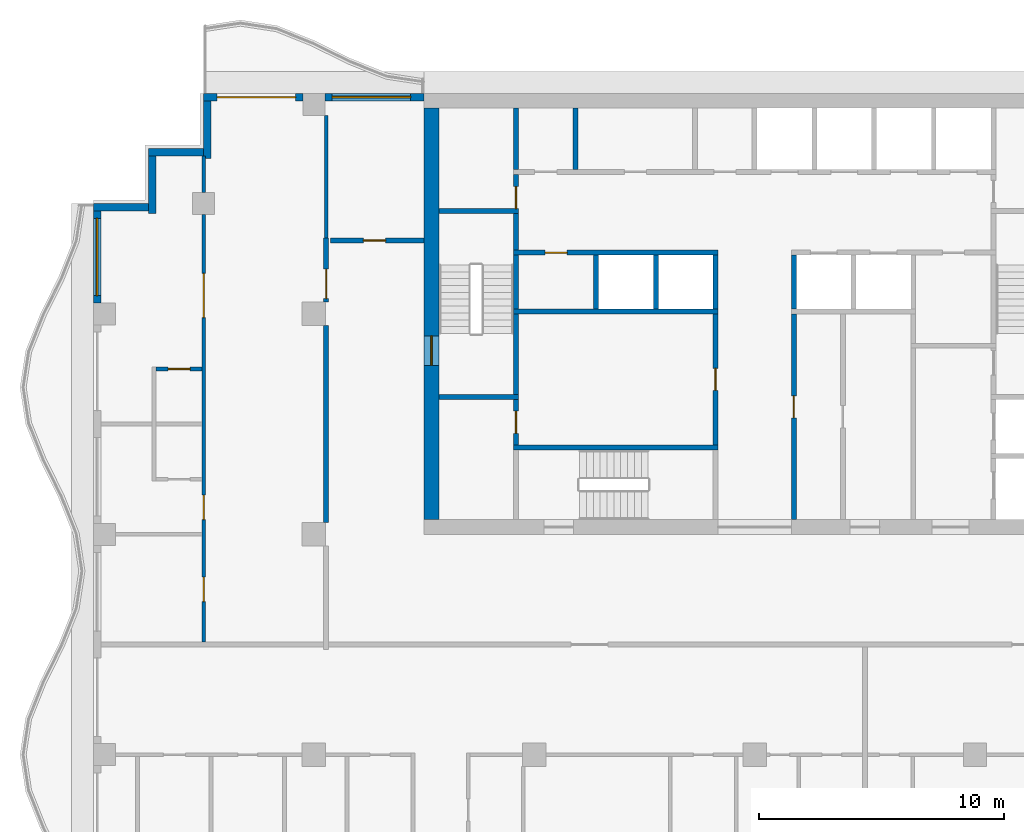
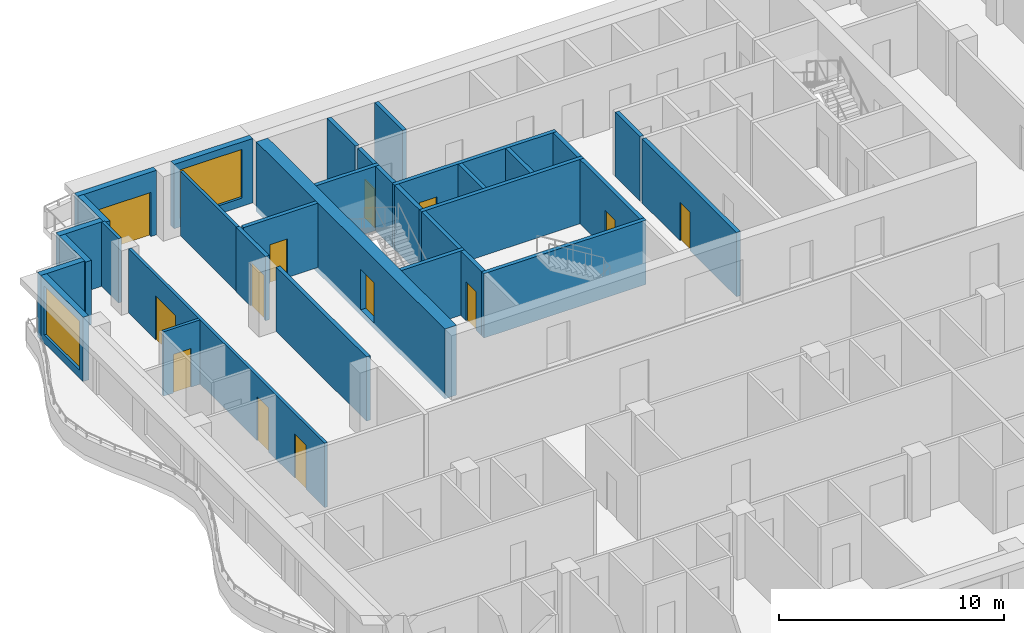
# One storey, part 5 of 12: 33 walls, 13 doors, 2 windows, 15 openings.
"""IFC4 building model written with IfcOpenShell, lengths in metres."""

from ifc_helpers import new_model, si_unit, direction, frame, frame_2d, origin, place, context, subcontext, project, spatial, rectangle, extrude, material, layer, layer_set, type_object, element, fill, save


model = new_model("IFC4")

# Units and contexts
model_context = context("Model", 3, precision=1e-05, world=origin(), true_north=direction((0.0, 1.0)))
body_context = subcontext(model_context, "Body", "Model", "MODEL_VIEW")
ifc_project = project(units=[si_unit("LENGTHUNIT", "METRE"), si_unit("AREAUNIT", "SQUARE_METRE"), si_unit("VOLUMEUNIT", "CUBIC_METRE"), si_unit("PLANEANGLEUNIT", "RADIAN"), si_unit("MASSUNIT", "GRAM", prefix="KILO")], contexts=[model_context])

# Site, building, storey
site_placement = place(None, origin())
site = spatial("IfcSite", under=ifc_project, at=site_placement, CompositionType="ELEMENT")
building_placement = place(site_placement, origin())
building = spatial("IfcBuilding", under=site, at=building_placement, Name="Orbiselva Terraces", CompositionType="ELEMENT")
storey_placement = place(building_placement, frame((0.0, 0.0, 265.4)))
storey = spatial("IfcBuildingStorey", under=building, at=storey_placement, Name="L67", CompositionType="ELEMENT", Elevation=265.4)

# Wall, opening, door
ifc_material_1 = material(Name="Concrete C80/95", Category="concrete")
ifc_layer_1 = layer(ifc_material_1, 0.6)
ifc_layer_set_1 = layer_set([ifc_layer_1], Name="Concrete C80/95")
wall_type_1 = type_object("IfcWallType", Name="CORE WALL 600", PredefinedType="SHEAR", material=ifc_layer_set_1)
wall_1_placement = place(storey_placement, frame((-13.2, 21.9, -0.3), z_axis=(0.0, 0.0, 1.0), x_axis=(0.0, -1.0, 0.0)))
wall_1 = element("IfcWall", 1, at=wall_1_placement, inside=storey, type_object=wall_type_1, Name="Core wall L67 west", PredefinedType="SHEAR", context=body_context, shape_type="SweptSolid", body=[
    extrude(rectangle(XDim=16.8, YDim=0.6, at=frame_2d((8.4, 0.0))), origin(), (0.0, 0.0, 1.0), 3.8),
])
opening_1_placement = place(wall_1_placement, frame((9.3, 0.0, 0.3)))
opening_1 = element("IfcOpeningElement", 2, at=opening_1_placement, cuts=wall_1, Name="Opening DS1200", PredefinedType="OPENING", context=body_context, shape_type="SweptSolid", body=[
    extrude(rectangle(XDim=1.2, YDim=2.2, at=frame_2d((0.6, 1.1))), frame((0.0, 0.31, 0.0), z_axis=(0.0, -1.0, 0.0), x_axis=(1.0, 0.0, 0.0)), (0.0, 0.0, 1.0), 0.62),
])
ifc_material_2 = material(Name="Steel fire door", Category="steel")
door_type_1 = type_object("IfcDoorType", Name="STAIR DOOR 1200", OperationType="NOTDEFINED", PredefinedType="DOOR", material=ifc_material_2)
door_1_placement = place(opening_1_placement, frame((1.2, 0.0, 0.0), z_axis=(0.0, 0.0, 1.0), x_axis=(-1.0, 0.0, 0.0)))
door_1 = element("IfcDoor", 3, at=door_1_placement, inside=storey, type_object=door_type_1, Name="L67 EXIT STAIR S1 door", OperationType="SINGLE_SWING_RIGHT", OverallHeight=2.2, OverallWidth=1.2, PredefinedType="DOOR", context=body_context, shape_type="SweptSolid", body=[
    extrude(rectangle(XDim=1.2, YDim=2.2, at=frame_2d((0.6, 1.1))), frame((0.0, 0.025, 0.0), z_axis=(0.0, -1.0, 0.0), x_axis=(1.0, 0.0, 0.0)), (0.0, 0.0, 1.0), 0.05),
])
fill(opening_1, door_1)

ifc_material_3 = material(Name="Masonry blockwork", Category="masonry")
ifc_layer_2 = layer(ifc_material_3, 0.2)
ifc_layer_set_2 = layer_set([ifc_layer_2], Name="Masonry blockwork")
wall_type_2 = type_object("IfcWallType", Name="CORE-WALL-PARTITION-200", PredefinedType="PARTITIONING", material=ifc_layer_set_2)
wall_2_placement = place(storey_placement, frame((-9.75, 8.15, 0.0), z_axis=(0.0, 0.0, 1.0), x_axis=(0.0, 1.0, 0.0)))
wall_2 = element("IfcWall", 4, at=wall_2_placement, inside=storey, type_object=wall_type_2, Name="L67 core wall 05", PredefinedType="PARTITIONING", context=body_context, shape_type="SweptSolid", body=[
    extrude(rectangle(XDim=1.85, YDim=0.2, at=frame_2d((0.925, 0.0))), origin(), (0.0, 0.0, 1.0), 3.5),
])
opening_2_placement = place(wall_2_placement, frame((0.475, 0.0, 0.0)))
opening_2 = element("IfcOpeningElement", 5, at=opening_2_placement, cuts=wall_2, Name="Opening DR900", PredefinedType="OPENING", context=body_context, shape_type="SweptSolid", body=[
    extrude(rectangle(XDim=0.9, YDim=2.1, at=frame_2d((0.45, 1.05))), frame((0.0, 0.11, 0.0), z_axis=(0.0, -1.0, 0.0), x_axis=(1.0, 0.0, 0.0)), (0.0, 0.0, 1.0), 0.22),
])
door_type_2 = type_object("IfcDoorType", Name="ROOM DOOR 900", OperationType="NOTDEFINED", PredefinedType="DOOR", material=ifc_material_2)
door_2_placement = place(opening_2_placement, origin())
door_2 = element("IfcDoor", 6, at=door_2_placement, inside=storey, type_object=door_type_2, Name="L67 ACCESSIBLE WC door", OperationType="SINGLE_SWING_RIGHT", OverallHeight=2.1, OverallWidth=0.9, PredefinedType="DOOR", context=body_context, shape_type="SweptSolid", body=[
    extrude(rectangle(XDim=0.9, YDim=2.1, at=frame_2d((0.45, 1.05))), frame((0.0, 0.025, 0.0), z_axis=(0.0, -1.0, 0.0), x_axis=(1.0, 0.0, 0.0)), (0.0, 0.0, 1.0), 0.05),
])
fill(opening_2, door_2)

wall_3_placement = place(storey_placement, frame((-9.75, 17.8, 0.0), z_axis=(0.0, 0.0, 1.0), x_axis=(0.0, 1.0, 0.0)))
wall_3 = element("IfcWall", 7, at=wall_3_placement, inside=storey, type_object=wall_type_2, Name="L67 core wall 11", PredefinedType="PARTITIONING", context=body_context, shape_type="SweptSolid", body=[
    extrude(rectangle(XDim=1.4, YDim=0.2, at=frame_2d((0.7, 0.0))), origin(), (0.0, 0.0, 1.0), 3.5),
])
opening_3_placement = place(wall_3_placement, origin())
opening_3 = element("IfcOpeningElement", 8, at=opening_3_placement, cuts=wall_3, Name="Opening DR900", PredefinedType="OPENING", context=body_context, shape_type="SweptSolid", body=[
    extrude(rectangle(XDim=0.9, YDim=2.1, at=frame_2d((0.45, 1.05))), frame((0.0, 0.11, 0.0), z_axis=(0.0, -1.0, 0.0), x_axis=(1.0, 0.0, 0.0)), (0.0, 0.0, 1.0), 0.22),
])
door_3_placement = place(opening_3_placement, origin())
door_3 = element("IfcDoor", 9, at=door_3_placement, inside=storey, type_object=door_type_2, Name="L67 COMMS RISER ROOM door", OperationType="SINGLE_SWING_LEFT", OverallHeight=2.1, OverallWidth=0.9, PredefinedType="DOOR", context=body_context, shape_type="SweptSolid", body=[
    extrude(rectangle(XDim=0.9, YDim=2.1, at=frame_2d((0.45, 1.05))), frame((0.0, 0.025, 0.0), z_axis=(0.0, -1.0, 0.0), x_axis=(1.0, 0.0, 0.0)), (0.0, 0.0, 1.0), 0.05),
])
fill(opening_3, door_3)

# Walls
for number, where, z_axis, x_axis, name in (
    (10, (-9.75, 19.4, 0.0), (0.0, 0.0, 1.0), (0.0, 1.0, 0.0), "L67 core wall 13"),
    (11, (-7.3125, 19.4, 0.0), (0.0, 0.0, 1.0), (0.0, 1.0, 0.0), "L67 core wall 14"),
):
    element("IfcWall", number, at=place(storey_placement, frame(where, z_axis=z_axis, x_axis=x_axis)), inside=storey, type_object=wall_type_2, Name=name, PredefinedType="PARTITIONING", context=body_context, shape_type="SweptSolid", body=[
        extrude(rectangle(XDim=2.5, YDim=0.2, at=frame_2d((1.25, 0.0))), origin(), (0.0, 0.0, 1.0), 3.5),
    ])
ifc_material_4 = material(Name="Concrete C40/50", Category="concrete")
ifc_layer_3 = layer(ifc_material_4, 0.2)
ifc_layer_set_3 = layer_set([ifc_layer_3], Name="Concrete C40/50")
wall_type_3 = type_object("IfcWallType", Name="CORE-WALL-SHAFT-200", PredefinedType="PARTITIONING", material=ifc_layer_set_3)
for number, where, z_axis, x_axis, name in (
    (12, (-6.475, 13.7, 0.0), (0.0, 0.0, 1.0), (0.0, 1.0, 0.0), "L67 core wall 15"),
    (13, (-4.0375, 13.7, 0.0), (0.0, 0.0, 1.0), (0.0, 1.0, 0.0), "L67 core wall 16"),
    (14, (-1.6, 13.7, 0.0), (0.0, 0.0, 1.0), (0.0, 1.0, 0.0), "L67 core wall 20"),
    (15, (1.6, 13.7, 0.0), (0.0, 0.0, 1.0), (0.0, 1.0, 0.0), "L67 core wall 24"),
):
    element("IfcWall", number, at=place(storey_placement, frame(where, z_axis=z_axis, x_axis=x_axis)), inside=storey, type_object=wall_type_3, Name=name, PredefinedType="PARTITIONING", context=body_context, shape_type="SweptSolid", body=[
        extrude(rectangle(XDim=2.2, YDim=0.2, at=frame_2d((1.1, 0.0))), origin(), (0.0, 0.0, 1.0), 3.5),
    ])
ifc_material_5 = material(Name="Concrete C60/75", Category="concrete")
ifc_layer_4 = layer(ifc_material_5, 0.2)
ifc_layer_set_4 = layer_set([ifc_layer_4], Name="Concrete C60/75")
wall_type_4 = type_object("IfcWallType", Name="CORE-WALL-SHEAR-200", PredefinedType="SHEAR", material=ifc_layer_set_4)
for number, where, z_axis, x_axis, name in (
    (16, (-12.9, 10.1, 0.0), (0.0, 0.0, 1.0), (1.0, 0.0, 0.0), "L67 core wall 01"),
    (17, (-12.9, 17.7, 0.0), (0.0, 0.0, 1.0), (1.0, 0.0, 0.0), "L67 core wall 02"),
):
    element("IfcWall", number, at=place(storey_placement, frame(where, z_axis=z_axis, x_axis=x_axis)), inside=storey, type_object=wall_type_4, Name=name, PredefinedType="SHEAR", context=body_context, shape_type="SweptSolid", body=[
        extrude(rectangle(XDim=3.25, YDim=0.2, at=frame_2d((1.625, 0.0))), origin(), (0.0, 0.0, 1.0), 3.5),
    ])
wall_4_placement = place(storey_placement, frame((-9.85, 8.05, 0.0), z_axis=(0.0, 0.0, 1.0), x_axis=(1.0, 0.0, 0.0)))
element("IfcWall", 18, at=wall_4_placement, inside=storey, type_object=wall_type_4, Name="L67 core wall 04", PredefinedType="SHEAR", context=body_context, shape_type="SweptSolid", body=[
    extrude(rectangle(XDim=8.35, YDim=0.2, at=frame_2d((4.175, 0.0))), origin(), (0.0, 0.0, 1.0), 3.5),
])
wall_5_placement = place(storey_placement, frame((-9.75, 10.2, 0.0), z_axis=(0.0, 0.0, 1.0), x_axis=(0.0, 1.0, 0.0)))
element("IfcWall", 19, at=wall_5_placement, inside=storey, type_object=wall_type_4, Name="L67 core wall 06", PredefinedType="SHEAR", context=body_context, shape_type="SweptSolid", body=[
    extrude(rectangle(XDim=3.3, YDim=0.2, at=frame_2d((1.65, 0.0))), origin(), (0.0, 0.0, 1.0), 3.5),
])
wall_6_placement = place(storey_placement, frame((-9.85, 13.6, 0.0), z_axis=(0.0, 0.0, 1.0), x_axis=(1.0, 0.0, 0.0)))
element("IfcWall", 20, at=wall_6_placement, inside=storey, type_object=wall_type_4, Name="L67 core wall 07", PredefinedType="SHEAR", context=body_context, shape_type="SweptSolid", body=[
    extrude(rectangle(XDim=8.35, YDim=0.2, at=frame_2d((4.175, 0.0))), origin(), (0.0, 0.0, 1.0), 3.5),
])
wall_7_placement = place(storey_placement, frame((-9.75, 13.7, 0.0), z_axis=(0.0, 0.0, 1.0), x_axis=(0.0, 1.0, 0.0)))
element("IfcWall", 21, at=wall_7_placement, inside=storey, type_object=wall_type_4, Name="L67 core wall 08", PredefinedType="SHEAR", context=body_context, shape_type="SweptSolid", body=[
    extrude(rectangle(XDim=2.2, YDim=0.2, at=frame_2d((1.1, 0.0))), origin(), (0.0, 0.0, 1.0), 3.5),
])

# Wall, opening, door
wall_8_placement = place(storey_placement, frame((-1.5, 16.0, 0.0), z_axis=(0.0, 0.0, 1.0), x_axis=(-1.0, 0.0, 0.0)))
wall_8 = element("IfcWall", 22, at=wall_8_placement, inside=storey, type_object=wall_type_4, Name="L67 core wall 09", PredefinedType="SHEAR", context=body_context, shape_type="SweptSolid", body=[
    extrude(rectangle(XDim=8.35, YDim=0.2, at=frame_2d((4.175, 0.0))), origin(), (0.0, 0.0, 1.0), 3.5),
])
opening_4_placement = place(wall_8_placement, frame((6.1625, 0.0, 0.0)))
opening_4 = element("IfcOpeningElement", 23, at=opening_4_placement, cuts=wall_8, Name="Opening DR900", PredefinedType="OPENING", context=body_context, shape_type="SweptSolid", body=[
    extrude(rectangle(XDim=0.9, YDim=2.1, at=frame_2d((0.45, 1.05))), frame((0.0, 0.11, 0.0), z_axis=(0.0, -1.0, 0.0), x_axis=(1.0, 0.0, 0.0)), (0.0, 0.0, 1.0), 0.22),
])
door_4_placement = place(opening_4_placement, origin())
door_4 = element("IfcDoor", 24, at=door_4_placement, inside=storey, type_object=door_type_2, Name="L67 IT ROOM door", OperationType="SINGLE_SWING_RIGHT", OverallHeight=2.1, OverallWidth=0.9, PredefinedType="DOOR", context=body_context, shape_type="SweptSolid", body=[
    extrude(rectangle(XDim=0.9, YDim=2.1, at=frame_2d((0.45, 1.05))), frame((0.0, 0.025, 0.0), z_axis=(0.0, -1.0, 0.0), x_axis=(1.0, 0.0, 0.0)), (0.0, 0.0, 1.0), 0.05),
])
fill(opening_4, door_4)

# Wall
wall_9_placement = place(storey_placement, frame((-9.75, 16.1, 0.0), z_axis=(0.0, 0.0, 1.0), x_axis=(0.0, 1.0, 0.0)))
element("IfcWall", 25, at=wall_9_placement, inside=storey, type_object=wall_type_4, Name="L67 core wall 10", PredefinedType="SHEAR", context=body_context, shape_type="SweptSolid", body=[
    extrude(rectangle(XDim=1.5, YDim=0.2, at=frame_2d((0.75, 0.0))), origin(), (0.0, 0.0, 1.0), 3.5),
])

# Wall, opening, door
wall_10_placement = place(storey_placement, frame((-1.6, 8.15, 0.0), z_axis=(0.0, 0.0, 1.0), x_axis=(0.0, 1.0, 0.0)))
wall_10 = element("IfcWall", 26, at=wall_10_placement, inside=storey, type_object=wall_type_4, Name="L67 core wall 19", PredefinedType="SHEAR", context=body_context, shape_type="SweptSolid", body=[
    extrude(rectangle(XDim=5.35, YDim=0.2, at=frame_2d((2.675, 0.0))), origin(), (0.0, 0.0, 1.0), 3.5),
])
opening_5_placement = place(wall_10_placement, frame((2.225, 0.0, 0.0)))
opening_5 = element("IfcOpeningElement", 27, at=opening_5_placement, cuts=wall_10, Name="Opening DR900", PredefinedType="OPENING", context=body_context, shape_type="SweptSolid", body=[
    extrude(rectangle(XDim=0.9, YDim=2.1, at=frame_2d((0.45, 1.05))), frame((0.0, 0.11, 0.0), z_axis=(0.0, -1.0, 0.0), x_axis=(1.0, 0.0, 0.0)), (0.0, 0.0, 1.0), 0.22),
])
door_5_placement = place(opening_5_placement, origin())
door_5 = element("IfcDoor", 28, at=door_5_placement, inside=storey, type_object=door_type_2, Name="L67 LINEN STORE door", OperationType="SINGLE_SWING_RIGHT", OverallHeight=2.1, OverallWidth=0.9, PredefinedType="DOOR", context=body_context, shape_type="SweptSolid", body=[
    extrude(rectangle(XDim=0.9, YDim=2.1, at=frame_2d((0.45, 1.05))), frame((0.0, 0.025, 0.0), z_axis=(0.0, -1.0, 0.0), x_axis=(1.0, 0.0, 0.0)), (0.0, 0.0, 1.0), 0.05),
])
fill(opening_5, door_5)

wall_11_placement = place(storey_placement, frame((1.6, 13.5, 0.0), z_axis=(0.0, 0.0, 1.0), x_axis=(0.0, -1.0, 0.0)))
wall_11 = element("IfcWall", 29, at=wall_11_placement, inside=storey, type_object=wall_type_4, Name="L67 core wall 22", PredefinedType="SHEAR", context=body_context, shape_type="SweptSolid", body=[
    extrude(rectangle(XDim=8.4, YDim=0.2, at=frame_2d((4.2, 0.0))), origin(), (0.0, 0.0, 1.0), 3.5),
])
opening_6_placement = place(wall_11_placement, frame((3.35, 0.0, 0.0)))
opening_6 = element("IfcOpeningElement", 30, at=opening_6_placement, cuts=wall_11, Name="Opening DR900", PredefinedType="OPENING", context=body_context, shape_type="SweptSolid", body=[
    extrude(rectangle(XDim=0.9, YDim=2.1, at=frame_2d((0.45, 1.05))), frame((0.0, 0.11, 0.0), z_axis=(0.0, -1.0, 0.0), x_axis=(1.0, 0.0, 0.0)), (0.0, 0.0, 1.0), 0.22),
])
door_6_placement = place(opening_6_placement, origin())
door_6 = element("IfcDoor", 31, at=door_6_placement, inside=storey, type_object=door_type_2, Name="L67 COMMS ROOM door", OperationType="SINGLE_SWING_LEFT", OverallHeight=2.1, OverallWidth=0.9, PredefinedType="DOOR", context=body_context, shape_type="SweptSolid", body=[
    extrude(rectangle(XDim=0.9, YDim=2.1, at=frame_2d((0.45, 1.05))), frame((0.0, 0.025, 0.0), z_axis=(0.0, -1.0, 0.0), x_axis=(1.0, 0.0, 0.0)), (0.0, 0.0, 1.0), 0.05),
])
fill(opening_6, door_6)

# Wall, opening, window
ifc_material_6 = material(Name="Terracotta cladding on masonry backing", Category="masonry")
ifc_layer_5 = layer(ifc_material_6, 0.3)
ifc_layer_set_5 = layer_set([ifc_layer_5], Name="Terracotta cladding on masonry backing")
wall_type_5 = type_object("IfcWallType", Name="ENV-WALL-TERRACOTTA-300", PredefinedType="SOLIDWALL", material=ifc_layer_set_5)
wall_12_placement = place(storey_placement, frame((-17.55, 22.35, 0.0), z_axis=(0.0, 0.0, 1.0), x_axis=(1.0, 0.0, 0.0)))
wall_12 = element("IfcWall", 32, at=wall_12_placement, inside=storey, type_object=wall_type_5, Name="Facade wall L67 NW", PredefinedType="SOLIDWALL", context=body_context, shape_type="SweptSolid", body=[
    extrude(rectangle(XDim=4.05, YDim=0.3, at=frame_2d((2.025, 0.0))), origin(), (0.0, 0.0, 1.0), 3.5),
])
opening_7_placement = place(wall_12_placement, frame((0.3, 0.0, 0.45)))
opening_7 = element("IfcOpeningElement", 33, at=opening_7_placement, cuts=wall_12, Name="Opening WN17", PredefinedType="OPENING", context=body_context, shape_type="SweptSolid", body=[
    extrude(rectangle(XDim=3.2, YDim=2.65, at=frame_2d((1.6, 1.325))), frame((0.0, 0.16, 0.0), z_axis=(0.0, -1.0, 0.0), x_axis=(1.0, 0.0, 0.0)), (0.0, 0.0, 1.0), 0.32),
])
ifc_material_7 = material(Name="Clear low-e glazing in aluminium frame", Category="aluminium")
window_type_1 = type_object("IfcWindowType", Name="WINDOW 3200 X 2650 S450", PartitioningType="TRIPLE_PANEL_VERTICAL", PredefinedType="WINDOW", material=ifc_material_7)
window_1_placement = place(opening_7_placement, origin())
window_1 = element("IfcWindow", 34, at=window_1_placement, inside=storey, type_object=window_type_1, Name="Window L67 NW", OverallHeight=2.65, OverallWidth=3.2, PartitioningType="SINGLE_PANEL", PredefinedType="WINDOW", context=body_context, shape_type="SweptSolid", body=[
    extrude(rectangle(XDim=3.2, YDim=2.65, at=frame_2d((1.6, 1.325))), frame((0.0, 0.03, 0.0), z_axis=(0.0, -1.0, 0.0), x_axis=(1.0, 0.0, 0.0)), (0.0, 0.0, 1.0), 0.06),
])
fill(opening_7, window_1)

# Wall, opening, door
wall_13_placement = place(storey_placement, frame((-22.5, 22.35, 0.0), z_axis=(0.0, 0.0, 1.0), x_axis=(1.0, 0.0, 0.0)))
wall_13 = element("IfcWall", 35, at=wall_13_placement, inside=storey, type_object=wall_type_5, Name="Facade wall L67 NW", PredefinedType="SOLIDWALL", context=body_context, shape_type="SweptSolid", body=[
    extrude(rectangle(XDim=4.05, YDim=0.3, at=frame_2d((2.025, 0.0))), origin(), (0.0, 0.0, 1.0), 3.5),
])
opening_8_placement = place(wall_13_placement, frame((0.55, 0.0, 0.0)))
opening_8 = element("IfcOpeningElement", 36, at=opening_8_placement, cuts=wall_13, Name="Opening Z5-C-E09", PredefinedType="OPENING", context=body_context, shape_type="SweptSolid", body=[
    extrude(rectangle(XDim=3.2, YDim=2.4, at=frame_2d((1.6, 1.2))), frame((0.0, 0.16, 0.0), z_axis=(0.0, -1.0, 0.0), x_axis=(1.0, 0.0, 0.0)), (0.0, 0.0, 1.0), 0.32),
])
door_type_3 = type_object("IfcDoorType", Name="BALCONY DOOR 3200 X 2400", OperationType="DOUBLE_DOOR_SLIDING", PredefinedType="DOOR", material=ifc_material_7)
door_7_placement = place(opening_8_placement, origin())
door_7 = element("IfcDoor", 37, at=door_7_placement, inside=storey, type_object=door_type_3, Name="Z5-C-E09", OperationType="SINGLE_SWING_LEFT", OverallHeight=2.4, OverallWidth=3.2, PredefinedType="DOOR", context=body_context, shape_type="SweptSolid", body=[
    extrude(rectangle(XDim=3.2, YDim=2.4, at=frame_2d((1.6, 1.2))), frame((0.0, 0.025, 0.0), z_axis=(0.0, -1.0, 0.0), x_axis=(1.0, 0.0, 0.0)), (0.0, 0.0, 1.0), 0.05),
])
fill(opening_8, door_7)

# Walls
wall_14_placement = place(storey_placement, frame((-22.35, 19.85, 0.0), z_axis=(0.0, 0.0, 1.0), x_axis=(0.0, 1.0, 0.0)))
element("IfcWall", 38, at=wall_14_placement, inside=storey, type_object=wall_type_5, Name="Facade wall L67 STEP", PredefinedType="SOLIDWALL", context=body_context, shape_type="SweptSolid", body=[
    extrude(rectangle(XDim=2.35, YDim=0.3, at=frame_2d((1.175, 0.0))), origin(), (0.0, 0.0, 1.0), 3.5),
])
wall_15_placement = place(storey_placement, frame((-24.75, 20.1, 0.0), z_axis=(0.0, 0.0, 1.0), x_axis=(1.0, 0.0, 0.0)))
element("IfcWall", 39, at=wall_15_placement, inside=storey, type_object=wall_type_5, Name="Facade wall L67 STEP", PredefinedType="SOLIDWALL", context=body_context, shape_type="SweptSolid", body=[
    extrude(rectangle(XDim=2.25, YDim=0.3, at=frame_2d((1.125, 0.0))), origin(), (0.0, 0.0, 1.0), 3.5),
])
wall_16_placement = place(storey_placement, frame((-24.6, 17.6, 0.0), z_axis=(0.0, 0.0, 1.0), x_axis=(0.0, 1.0, 0.0)))
element("IfcWall", 40, at=wall_16_placement, inside=storey, type_object=wall_type_5, Name="Facade wall L67 STEP", PredefinedType="SOLIDWALL", context=body_context, shape_type="SweptSolid", body=[
    extrude(rectangle(XDim=2.35, YDim=0.3, at=frame_2d((1.175, 0.0))), origin(), (0.0, 0.0, 1.0), 3.5),
])
wall_17_placement = place(storey_placement, frame((-27.0, 17.85, 0.0), z_axis=(0.0, 0.0, 1.0), x_axis=(1.0, 0.0, 0.0)))
element("IfcWall", 41, at=wall_17_placement, inside=storey, type_object=wall_type_5, Name="Facade wall L67 STEP", PredefinedType="SOLIDWALL", context=body_context, shape_type="SweptSolid", body=[
    extrude(rectangle(XDim=2.25, YDim=0.3, at=frame_2d((1.125, 0.0))), origin(), (0.0, 0.0, 1.0), 3.5),
])

# Wall, opening, window
wall_18_placement = place(storey_placement, frame((-26.85, 13.95, 0.0), z_axis=(0.0, 0.0, 1.0), x_axis=(0.0, 1.0, 0.0)))
wall_18 = element("IfcWall", 42, at=wall_18_placement, inside=storey, type_object=wall_type_5, Name="Facade wall L67 W", PredefinedType="SOLIDWALL", context=body_context, shape_type="SweptSolid", body=[
    extrude(rectangle(XDim=3.75, YDim=0.3, at=frame_2d((1.875, 0.0))), origin(), (0.0, 0.0, 1.0), 3.5),
])
opening_9_placement = place(wall_18_placement, frame((0.3, 0.0, 0.45)))
opening_9 = element("IfcOpeningElement", 43, at=opening_9_placement, cuts=wall_18, Name="Opening WN16", PredefinedType="OPENING", context=body_context, shape_type="SweptSolid", body=[
    extrude(rectangle(XDim=3.15, YDim=2.65, at=frame_2d((1.575, 1.325))), frame((0.0, 0.16, 0.0), z_axis=(0.0, -1.0, 0.0), x_axis=(1.0, 0.0, 0.0)), (0.0, 0.0, 1.0), 0.32),
])
window_type_2 = type_object("IfcWindowType", Name="WINDOW 3150 X 2650 S450", PartitioningType="TRIPLE_PANEL_VERTICAL", PredefinedType="WINDOW", material=ifc_material_7)
window_2_placement = place(opening_9_placement, origin())
window_2 = element("IfcWindow", 44, at=window_2_placement, inside=storey, type_object=window_type_2, Name="Window L67 W", OverallHeight=2.65, OverallWidth=3.15, PartitioningType="SINGLE_PANEL", PredefinedType="WINDOW", context=body_context, shape_type="SweptSolid", body=[
    extrude(rectangle(XDim=3.15, YDim=2.65, at=frame_2d((1.575, 1.325))), frame((0.0, 0.03, 0.0), z_axis=(0.0, -1.0, 0.0), x_axis=(1.0, 0.0, 0.0)), (0.0, 0.0, 1.0), 0.06),
])
fill(opening_9, window_2)

# Wall, opening, door
ifc_material_8 = material(Name="Plasterboard on steel stud partition", Category="steel")
ifc_layer_6 = layer(ifc_material_8, 0.2)
ifc_layer_set_6 = layer_set([ifc_layer_6], Name="Plasterboard on steel stud partition")
wall_type_6 = type_object("IfcWallType", Name="UNIT-ENTRANCE-WALL-200", PredefinedType="PARTITIONING", material=ifc_layer_set_6)
wall_19_placement = place(storey_placement, frame((-17.325, 16.5, 0.0), z_axis=(0.0, 0.0, 1.0), x_axis=(1.0, 0.0, 0.0)))
wall_19 = element("IfcWall", 45, at=wall_19_placement, inside=storey, type_object=wall_type_6, Name="PARTITION L67-041", PredefinedType="PARTITIONING", context=body_context, shape_type="SweptSolid", body=[
    extrude(rectangle(XDim=3.825, YDim=0.2, at=frame_2d((1.9125, 0.0))), origin(), (0.0, 0.0, 1.0), 3.5),
])
opening_10_placement = place(wall_19_placement, frame((1.35, 0.0, 0.0)))
opening_10 = element("IfcOpeningElement", 46, at=opening_10_placement, cuts=wall_19, Name="Opening Z5-C-01", PredefinedType="OPENING", context=body_context, shape_type="SweptSolid", body=[
    extrude(rectangle(XDim=0.9, YDim=2.1, at=frame_2d((0.45, 1.05))), frame((0.0, 0.11, 0.0), z_axis=(0.0, -1.0, 0.0), x_axis=(1.0, 0.0, 0.0)), (0.0, 0.0, 1.0), 0.22),
])
ifc_material_9 = material(Name="Painted timber door leaf", Category="wood")
door_type_4 = type_object("IfcDoorType", Name="SERVICE DOOR 900", OperationType="NOTDEFINED", PredefinedType="DOOR", material=ifc_material_9)
door_8_placement = place(opening_10_placement, origin())
door_8 = element("IfcDoor", 47, at=door_8_placement, inside=storey, type_object=door_type_4, Name="Z5-C-01", OperationType="SINGLE_SWING_LEFT", OverallHeight=2.1, OverallWidth=0.9, PredefinedType="DOOR", context=body_context, shape_type="SweptSolid", body=[
    extrude(rectangle(XDim=0.9, YDim=2.1, at=frame_2d((0.45, 1.05))), frame((0.0, 0.025, 0.0), z_axis=(0.0, -1.0, 0.0), x_axis=(1.0, 0.0, 0.0)), (0.0, 0.0, 1.0), 0.05),
])
fill(opening_10, door_8)

# Wall
wall_20_placement = place(storey_placement, frame((-17.5, 4.975, 0.0), z_axis=(0.0, 0.0, 1.0), x_axis=(0.0, 1.0, 0.0)))
element("IfcWall", 48, at=wall_20_placement, inside=storey, type_object=wall_type_6, Name="PARTITION L67-054", PredefinedType="PARTITIONING", context=body_context, shape_type="SweptSolid", body=[
    extrude(rectangle(XDim=8.05, YDim=0.2, at=frame_2d((4.025, 0.0))), origin(), (0.0, 0.0, 1.0), 3.5),
])

# Wall, opening, door
wall_21_placement = place(storey_placement, frame((-17.5, 13.975, 0.0), z_axis=(0.0, 0.0, 1.0), x_axis=(0.0, 1.0, 0.0)))
wall_21 = element("IfcWall", 49, at=wall_21_placement, inside=storey, type_object=wall_type_6, Name="PARTITION L67-055", PredefinedType="PARTITIONING", context=body_context, shape_type="SweptSolid", body=[
    extrude(rectangle(XDim=2.625, YDim=0.2, at=frame_2d((1.3125, 0.0))), origin(), (0.0, 0.0, 1.0), 3.5),
])
opening_11_placement = place(wall_21_placement, frame((0.15, 0.0, 0.0)))
opening_11 = element("IfcOpeningElement", 50, at=opening_11_placement, cuts=wall_21, Name="Opening Z5-C-03", PredefinedType="OPENING", context=body_context, shape_type="SweptSolid", body=[
    extrude(rectangle(XDim=1.2, YDim=2.4, at=frame_2d((0.6, 1.2))), frame((0.0, 0.11, 0.0), z_axis=(0.0, -1.0, 0.0), x_axis=(1.0, 0.0, 0.0)), (0.0, 0.0, 1.0), 0.22),
])
door_type_5 = type_object("IfcDoorType", Name="ENTRANCE DOOR 1200", OperationType="NOTDEFINED", PredefinedType="DOOR", material=ifc_material_9)
door_9_placement = place(opening_11_placement, origin())
door_9 = element("IfcDoor", 51, at=door_9_placement, inside=storey, type_object=door_type_5, Name="Z5-C-03", OperationType="SINGLE_SWING_LEFT", OverallHeight=2.4, OverallWidth=1.2, PredefinedType="DOOR", context=body_context, shape_type="SweptSolid", body=[
    extrude(rectangle(XDim=1.2, YDim=2.4, at=frame_2d((0.6, 1.2))), frame((0.0, 0.025, 0.0), z_axis=(0.0, -1.0, 0.0), x_axis=(1.0, 0.0, 0.0)), (0.0, 0.0, 1.0), 0.05),
])
fill(opening_11, door_9)

ifc_layer_7 = layer(ifc_material_8, 0.15)
ifc_layer_set_7 = layer_set([ifc_layer_7], Name="Plasterboard on steel stud partition")
wall_type_7 = type_object("IfcWallType", Name="UNIT-PARTITION-150", PredefinedType="PARTITIONING", material=ifc_layer_set_7)
wall_22_placement = place(storey_placement, frame((-22.575, 11.25, 0.0), z_axis=(0.0, 0.0, 1.0), x_axis=(-1.0, 0.0, 0.0)))
wall_22 = element("IfcWall", 52, at=wall_22_placement, inside=storey, type_object=wall_type_7, Name="PARTITION L67-038", PredefinedType="PARTITIONING", context=body_context, shape_type="SweptSolid", body=[
    extrude(rectangle(XDim=1.875, YDim=0.15, at=frame_2d((0.9375, 0.0))), origin(), (0.0, 0.0, 1.0), 3.5),
])
opening_12_placement = place(wall_22_placement, frame((0.475, 0.0, 0.0)))
opening_12 = element("IfcOpeningElement", 53, at=opening_12_placement, cuts=wall_22, Name="Opening Z5-C-08", PredefinedType="OPENING", context=body_context, shape_type="SweptSolid", body=[
    extrude(rectangle(XDim=0.9, YDim=2.1, at=frame_2d((0.45, 1.05))), frame((0.0, 0.085, 0.0), z_axis=(0.0, -1.0, 0.0), x_axis=(1.0, 0.0, 0.0)), (0.0, 0.0, 1.0), 0.17),
])
door_type_6 = type_object("IfcDoorType", Name="BATH DOOR 900", OperationType="NOTDEFINED", PredefinedType="DOOR", material=ifc_material_9)
door_10_placement = place(opening_12_placement, origin())
door_10 = element("IfcDoor", 54, at=door_10_placement, inside=storey, type_object=door_type_6, Name="Z5-C-08", OperationType="SINGLE_SWING_LEFT", OverallHeight=2.1, OverallWidth=0.9, PredefinedType="DOOR", context=body_context, shape_type="SweptSolid", body=[
    extrude(rectangle(XDim=0.9, YDim=2.1, at=frame_2d((0.45, 1.05))), frame((0.0, 0.025, 0.0), z_axis=(0.0, -1.0, 0.0), x_axis=(1.0, 0.0, 0.0)), (0.0, 0.0, 1.0), 0.05),
])
fill(opening_12, door_10)

# Wall, openings, doors
wall_23_placement = place(storey_placement, frame((-22.5, 0.1, 0.0), z_axis=(0.0, 0.0, 1.0), x_axis=(0.0, 1.0, 0.0)))
wall_23 = element("IfcWall", 55, at=wall_23_placement, inside=storey, type_object=wall_type_7, Name="PARTITION L67-047", PredefinedType="PARTITIONING", context=body_context, shape_type="SweptSolid", body=[
    extrude(rectangle(XDim=17.45, YDim=0.15, at=frame_2d((8.725, 0.0))), origin(), (0.0, 0.0, 1.0), 3.5),
])
opening_13_placement = place(wall_23_placement, frame((1.65, 0.0, 0.0)))
opening_13 = element("IfcOpeningElement", 56, at=opening_13_placement, cuts=wall_23, Name="Opening Z5-C-04", PredefinedType="OPENING", context=body_context, shape_type="SweptSolid", body=[
    extrude(rectangle(XDim=1.0, YDim=2.4, at=frame_2d((0.5, 1.2))), frame((0.0, 0.085, 0.0), z_axis=(0.0, -1.0, 0.0), x_axis=(1.0, 0.0, 0.0)), (0.0, 0.0, 1.0), 0.17),
])
opening_14_placement = place(wall_23_placement, frame((5.0, 0.0, 0.0)))
opening_14 = element("IfcOpeningElement", 57, at=opening_14_placement, cuts=wall_23, Name="Opening Z5-C-05", PredefinedType="OPENING", context=body_context, shape_type="SweptSolid", body=[
    extrude(rectangle(XDim=1.0, YDim=2.4, at=frame_2d((0.5, 1.2))), frame((0.0, 0.085, 0.0), z_axis=(0.0, -1.0, 0.0), x_axis=(1.0, 0.0, 0.0)), (0.0, 0.0, 1.0), 0.17),
])
opening_15_placement = place(wall_23_placement, frame((13.25, 0.0, 0.0)))
opening_15 = element("IfcOpeningElement", 58, at=opening_15_placement, cuts=wall_23, Name="Opening Z5-C-07", PredefinedType="OPENING", context=body_context, shape_type="SweptSolid", body=[
    extrude(rectangle(XDim=1.8, YDim=2.4, at=frame_2d((0.9, 1.2))), frame((0.0, 0.085, 0.0), z_axis=(0.0, -1.0, 0.0), x_axis=(1.0, 0.0, 0.0)), (0.0, 0.0, 1.0), 0.17),
])
door_type_7 = type_object("IfcDoorType", Name="DOUBLE DOOR 1800", OperationType="NOTDEFINED", PredefinedType="DOOR", material=ifc_material_9)
door_11_placement = place(opening_15_placement, origin())
door_11 = element("IfcDoor", 59, at=door_11_placement, inside=storey, type_object=door_type_7, Name="Z5-C-07", OperationType="DOUBLE_DOOR_SINGLE_SWING", OverallHeight=2.4, OverallWidth=1.8, PredefinedType="DOOR", context=body_context, shape_type="SweptSolid", body=[
    extrude(rectangle(XDim=1.8, YDim=2.4, at=frame_2d((0.9, 1.2))), frame((0.0, 0.025, 0.0), z_axis=(0.0, -1.0, 0.0), x_axis=(1.0, 0.0, 0.0)), (0.0, 0.0, 1.0), 0.05),
])
fill(opening_15, door_11)
door_type_8 = type_object("IfcDoorType", Name="ROOM DOOR 1000", OperationType="NOTDEFINED", PredefinedType="DOOR", material=ifc_material_9)
door_12_placement = place(opening_13_placement, origin())
door_12 = element("IfcDoor", 60, at=door_12_placement, inside=storey, type_object=door_type_8, Name="Z5-C-04", OperationType="SINGLE_SWING_LEFT", OverallHeight=2.4, OverallWidth=1.0, PredefinedType="DOOR", context=body_context, shape_type="SweptSolid", body=[
    extrude(rectangle(XDim=1.0, YDim=2.4, at=frame_2d((0.5, 1.2))), frame((0.0, 0.025, 0.0), z_axis=(0.0, -1.0, 0.0), x_axis=(1.0, 0.0, 0.0)), (0.0, 0.0, 1.0), 0.05),
])
fill(opening_13, door_12)
door_13_placement = place(opening_14_placement, origin())
door_13 = element("IfcDoor", 61, at=door_13_placement, inside=storey, type_object=door_type_8, Name="Z5-C-05", OperationType="SINGLE_SWING_LEFT", OverallHeight=2.4, OverallWidth=1.0, PredefinedType="DOOR", context=body_context, shape_type="SweptSolid", body=[
    extrude(rectangle(XDim=1.0, YDim=2.4, at=frame_2d((0.5, 1.2))), frame((0.0, 0.025, 0.0), z_axis=(0.0, -1.0, 0.0), x_axis=(1.0, 0.0, 0.0)), (0.0, 0.0, 1.0), 0.05),
])
fill(opening_14, door_13)

# Walls
wall_24_placement = place(storey_placement, frame((-22.5, 18.45, 0.0), z_axis=(0.0, 0.0, 1.0), x_axis=(0.0, 1.0, 0.0)))
element("IfcWall", 62, at=wall_24_placement, inside=storey, type_object=wall_type_7, Name="PARTITION L67-048", PredefinedType="PARTITIONING", context=body_context, shape_type="SweptSolid", body=[
    extrude(rectangle(XDim=1.5, YDim=0.15, at=frame_2d((0.75, 0.0))), origin(), (0.0, 0.0, 1.0), 3.5),
])
wall_25_placement = place(storey_placement, frame((-17.5, 16.4, 0.0), z_axis=(0.0, 0.0, 1.0), x_axis=(0.0, 1.0, 0.0)))
element("IfcWall", 63, at=wall_25_placement, inside=storey, type_object=wall_type_7, Name="PARTITION L67-056", PredefinedType="PARTITIONING", context=body_context, shape_type="SweptSolid", body=[
    extrude(rectangle(XDim=5.2, YDim=0.15, at=frame_2d((2.6, 0.0))), origin(), (0.0, 0.0, 1.0), 3.5),
])

save(model, "model.ifc")
